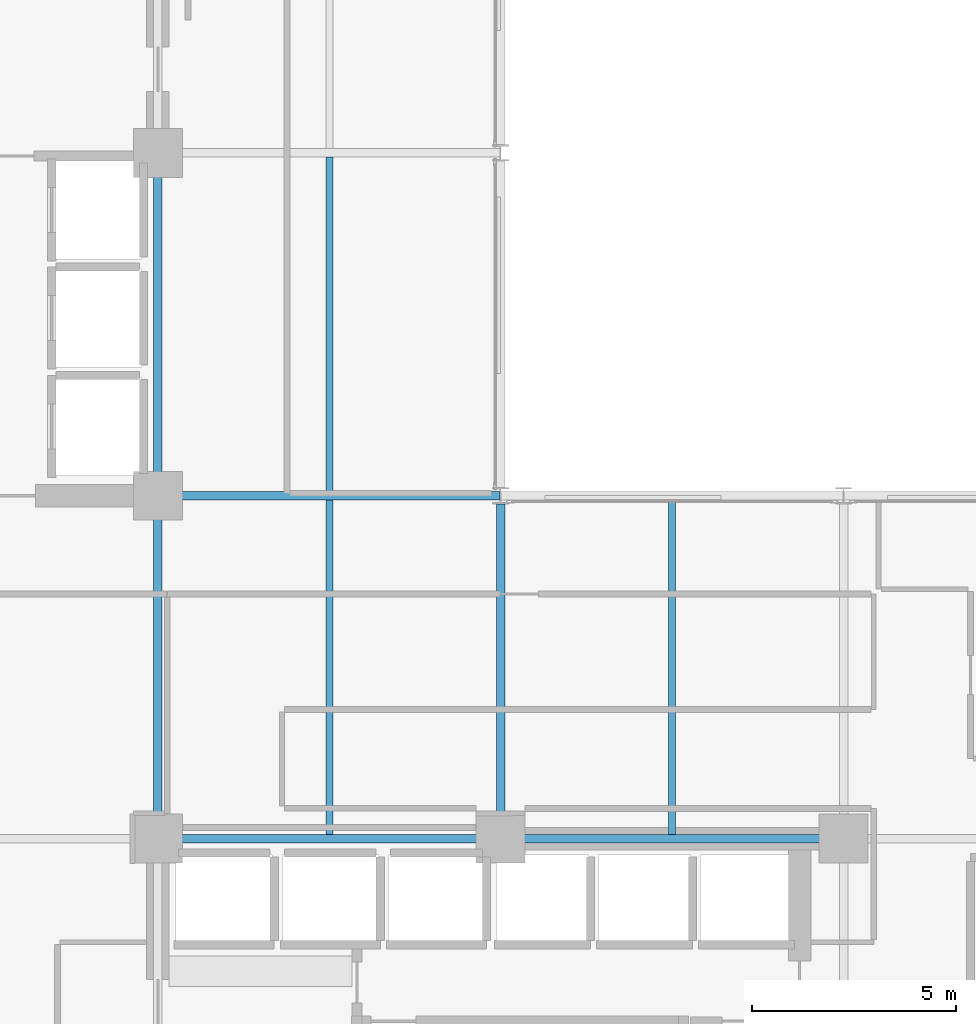
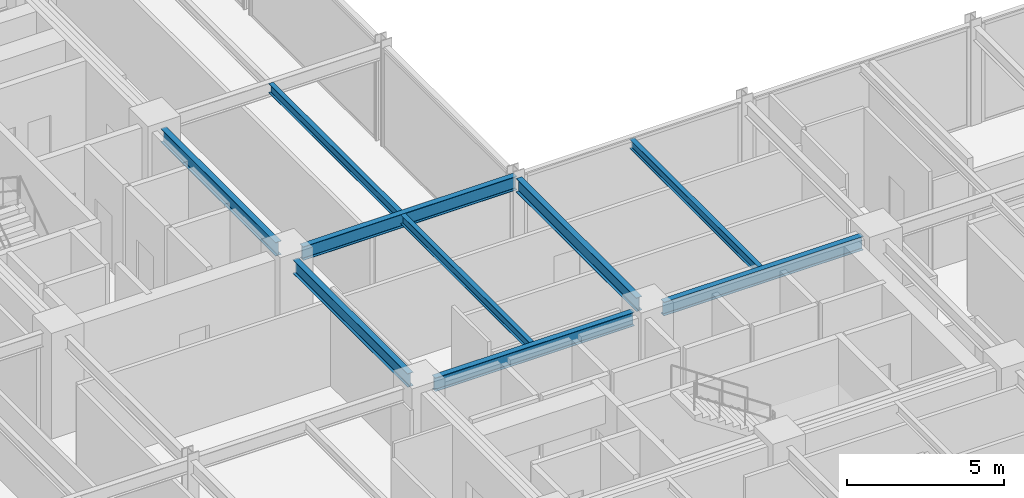
# One storey, part 14 of 38: 9 beams.
"""IFC4 building model written with IfcOpenShell, lengths in metres."""

from ifc_helpers import new_model, si_unit, direction, frame, origin, origin_2d, place, context, subcontext, project, spatial, i_section, extrude, material, material_profile, profile_set, type_object, element, save


model = new_model("IFC4")

# Units and contexts
model_context = context("Model", 3, precision=1e-05, world=origin(), true_north=direction((0.0, 1.0)))
body_context = subcontext(model_context, "Body", "Model", "MODEL_VIEW")
ifc_project = project(units=[si_unit("LENGTHUNIT", "METRE"), si_unit("AREAUNIT", "SQUARE_METRE"), si_unit("VOLUMEUNIT", "CUBIC_METRE"), si_unit("PLANEANGLEUNIT", "RADIAN"), si_unit("MASSUNIT", "GRAM", prefix="KILO")], contexts=[model_context])

# Site, building, storey
site_placement = place(None, origin())
site = spatial("IfcSite", under=ifc_project, at=site_placement, CompositionType="ELEMENT")
building_placement = place(site_placement, origin())
building = spatial("IfcBuilding", under=site, at=building_placement, Name="Nerrivon Quay Data Exchange", CompositionType="ELEMENT")
storey_placement = place(building_placement, frame((0.0, 0.0, 88.5)))
storey = spatial("IfcBuildingStorey", under=building, at=storey_placement, Name="L20", CompositionType="ELEMENT", Elevation=88.5)

# Beams
ifc_material = material(Name="Steel Grade 350", Category="steel")
ifc_material_profile_1 = material_profile(ifc_material, i_section(OverallWidth=0.208984375, OverallDepth=0.532958984375, WebThickness=0.01025390625, FlangeThickness=0.015625, FilletRadius=0.013916015625, at=origin_2d()), Name="530UB92.4")
ifc_profile_set_1 = profile_set([ifc_material_profile_1], Name="Steel Grade 350")
beam_type_1 = type_object("IfcBeamType", Name="BM-G3-530UB92", PredefinedType="BEAM", material=ifc_profile_set_1)
beam_1_placement = place(storey_placement, frame((17.340087890625, 16.800048828125, 3.55859375), z_axis=(1.0, 0.0, 0.0), x_axis=(0.0, 1.0, 0.0)))
element("IfcBeam", 1, at=beam_1_placement, inside=storey, type_object=beam_type_1, Name="L20 EW Girder Y=16.8 (16.8..25.2)", PredefinedType="BEAM", context=body_context, shape_type="SweptSolid", body=[
    extrude(i_section(OverallWidth=0.208984375, OverallDepth=0.532958984375, WebThickness=0.01025390625, FlangeThickness=0.015625, FilletRadius=0.013916015625, at=origin_2d()), origin(), (0.0, 0.0, 1.0), 7.31982421875),
])
beam_2_placement = place(storey_placement, frame((25.739990234375, 16.800048828125, 3.55859375), z_axis=(1.0, 0.0, 0.0), x_axis=(0.0, 1.0, 0.0)))
element("IfcBeam", 2, at=beam_2_placement, inside=storey, type_object=beam_type_1, Name="L20 EW Girder Y=16.8 (25.2..33.6)", PredefinedType="BEAM", context=body_context, shape_type="SweptSolid", body=[
    extrude(i_section(OverallWidth=0.208984375, OverallDepth=0.532958984375, WebThickness=0.01025390625, FlangeThickness=0.015625, FilletRadius=0.013916015625, at=origin_2d()), origin(), (0.0, 0.0, 1.0), 7.320068359375),
])
beam_3_placement = place(storey_placement, frame((17.340087890625, 25.199951171875, 3.55859375), z_axis=(1.0, 0.0, 0.0), x_axis=(0.0, 1.0, 0.0)))
element("IfcBeam", 3, at=beam_3_placement, inside=storey, type_object=beam_type_1, Name="L20 EW Girder Y=25.2 (16.8..25.2)", PredefinedType="BEAM", context=body_context, shape_type="SweptSolid", body=[
    extrude(i_section(OverallWidth=0.208984375, OverallDepth=0.532958984375, WebThickness=0.01025390625, FlangeThickness=0.015625, FilletRadius=0.013916015625, at=origin_2d()), origin(), (0.0, 0.0, 1.0), 7.847412109375),
])
ifc_material_profile_2 = material_profile(ifc_material, i_section(OverallWidth=0.208984375, OverallDepth=0.528076171875, WebThickness=0.009521484375, FlangeThickness=0.01318359375, FilletRadius=0.013916015625, at=origin_2d()), Name="530UB82.0")
ifc_profile_set_2 = profile_set([ifc_material_profile_2], Name="Steel Grade 350")
beam_type_2 = type_object("IfcBeamType", Name="BM-G4-530UB82", PredefinedType="BEAM", material=ifc_profile_set_2)
beam_4_placement = place(storey_placement, frame((16.800048828125, 17.340087890625, 3.56103515625), z_axis=(0.0, 1.0, 0.0), x_axis=(-1.0, 0.0, 0.0)))
element("IfcBeam", 4, at=beam_4_placement, inside=storey, type_object=beam_type_2, Name="L20 NS Girder X=16.8 (16.8..25.2)", PredefinedType="BEAM", context=body_context, shape_type="SweptSolid", body=[
    extrude(i_section(OverallWidth=0.208984375, OverallDepth=0.528076171875, WebThickness=0.009521484375, FlangeThickness=0.01318359375, FilletRadius=0.013916015625, at=origin_2d()), origin(), (0.0, 0.0, 1.0), 7.31982421875),
])
beam_5_placement = place(storey_placement, frame((16.800048828125, 25.739990234375, 3.56103515625), z_axis=(0.0, 1.0, 0.0), x_axis=(-1.0, 0.0, 0.0)))
element("IfcBeam", 5, at=beam_5_placement, inside=storey, type_object=beam_type_2, Name="L20 NS Girder X=16.8 (25.2..33.6)", PredefinedType="BEAM", context=body_context, shape_type="SweptSolid", body=[
    extrude(i_section(OverallWidth=0.208984375, OverallDepth=0.528076171875, WebThickness=0.009521484375, FlangeThickness=0.01318359375, FilletRadius=0.013916015625, at=origin_2d()), origin(), (0.0, 0.0, 1.0), 7.320068359375),
])
beam_6_placement = place(storey_placement, frame((25.199951171875, 17.340087890625, 3.56103515625), z_axis=(0.0, 1.0, 0.0), x_axis=(-1.0, 0.0, 0.0)))
element("IfcBeam", 6, at=beam_6_placement, inside=storey, type_object=beam_type_2, Name="L20 NS Girder X=25.2 (16.8..25.2)", PredefinedType="BEAM", context=body_context, shape_type="SweptSolid", body=[
    extrude(i_section(OverallWidth=0.208984375, OverallDepth=0.528076171875, WebThickness=0.009521484375, FlangeThickness=0.01318359375, FilletRadius=0.013916015625, at=origin_2d()), origin(), (0.0, 0.0, 1.0), 7.659912109375),
])
ifc_material_profile_3 = material_profile(ifc_material, i_section(OverallWidth=0.1708984375, OverallDepth=0.35595703125, WebThickness=0.00732421875, FlangeThickness=0.011474609375, FilletRadius=0.011474609375, at=origin_2d()), Name="360UB50.7")
ifc_profile_set_3 = profile_set([ifc_material_profile_3], Name="Steel Grade 350")
beam_type_3 = type_object("IfcBeamType", Name="BM-J4-360UB51", PredefinedType="JOIST", material=ifc_profile_set_3)
beam_7_placement = place(storey_placement, frame((21.0, 16.904541015625, 3.64697265625), z_axis=(0.0, 1.0, 0.0), x_axis=(-1.0, 0.0, 0.0)))
element("IfcBeam", 7, at=beam_7_placement, inside=storey, type_object=beam_type_3, Name="L20 Secondary Joist X=21.0 (16.8..25.2)", PredefinedType="JOIST", context=body_context, shape_type="SweptSolid", body=[
    extrude(i_section(OverallWidth=0.1708984375, OverallDepth=0.35595703125, WebThickness=0.00732421875, FlangeThickness=0.011474609375, FilletRadius=0.011474609375, at=origin_2d()), origin(), (0.0, 0.0, 1.0), 8.19091796875),
])
beam_8_placement = place(storey_placement, frame((21.0, 25.304443359375, 3.64697265625), z_axis=(0.0, 1.0, 0.0), x_axis=(-1.0, 0.0, 0.0)))
element("IfcBeam", 8, at=beam_8_placement, inside=storey, type_object=beam_type_3, Name="L20 Secondary Joist X=21.0 (25.2..33.6)", PredefinedType="JOIST", context=body_context, shape_type="SweptSolid", body=[
    extrude(i_section(OverallWidth=0.1708984375, OverallDepth=0.35595703125, WebThickness=0.00732421875, FlangeThickness=0.011474609375, FilletRadius=0.011474609375, at=origin_2d()), origin(), (0.0, 0.0, 1.0), 8.191162109375),
])
beam_9_placement = place(storey_placement, frame((29.39990234375, 16.904541015625, 3.64697265625), z_axis=(0.0, 1.0, 0.0), x_axis=(-1.0, 0.0, 0.0)))
element("IfcBeam", 9, at=beam_9_placement, inside=storey, type_object=beam_type_3, Name="L20 Secondary Joist X=29.4 (16.8..25.2)", PredefinedType="JOIST", context=body_context, shape_type="SweptSolid", body=[
    extrude(i_section(OverallWidth=0.1708984375, OverallDepth=0.35595703125, WebThickness=0.00732421875, FlangeThickness=0.011474609375, FilletRadius=0.011474609375, at=origin_2d()), origin(), (0.0, 0.0, 1.0), 8.19091796875),
])

save(model, "model.ifc")
